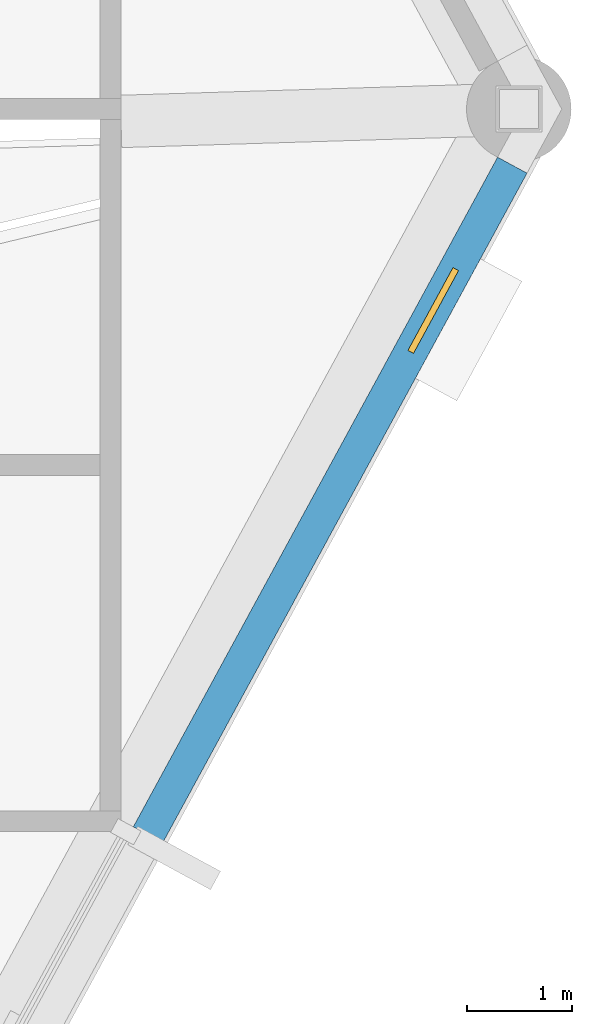
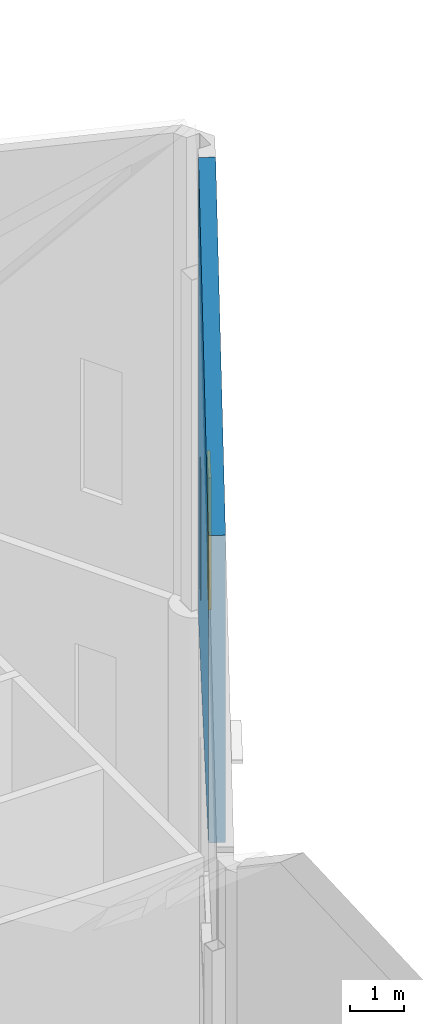
# One storey, part 260 of 344: 1 wall, 1 window, 1 opening.
"""IFC4 building model written with IfcOpenShell, lengths in metres."""

import ifcopenshell
import ifcopenshell.guid

model = None  # the IFC model being written
_history = None  # IfcOwnerHistory: only IFC2X3 demands one
_inside = {}  # id of a spatial element -> (the spatial element, [elements in it])
_under = {}  # id of a project, library or spatial element -> (it, [spatial elements below it])
_declared = {}  # id of a project -> (the project, [libraries it declares])
_typed = {}  # id of a type object -> (the type object, [elements of that type])
_made_of = {}  # id of a material, layer set ... -> (it, [elements and type objects made of it])


def new_model(schema):
    """Start an empty IFC model of exactly this schema.

    Asked for "IFC4X3", IfcOpenShell would pick the latest addendum, in which some entities
    have other attributes; the version numbers below select the first issue.
    IFC2X3 requires an IfcOwnerHistory on every rooted entity: one is made here for all.
    """
    global model, _history
    if schema == "IFC4X3":
        model = ifcopenshell.file(schema_version=(4, 3, 0, 0))
    else:
        model = ifcopenshell.file(schema=schema)
    _inside.clear()
    _under.clear()
    _declared.clear()
    _typed.clear()
    _made_of.clear()
    _history = None
    if model.schema == "IFC2X3":
        org = make("IfcOrganization", Name="unknown")
        user = make(
            "IfcPersonAndOrganization",
            ThePerson=make("IfcPerson", FamilyName="unknown"),
            TheOrganization=org,
        )
        app = make(
            "IfcApplication",
            ApplicationDeveloper=org,
            Version="unknown",
            ApplicationFullName="unknown",
            ApplicationIdentifier="unknown",
        )
        _history = make(
            "IfcOwnerHistory",
            OwningUser=user,
            OwningApplication=app,
            ChangeAction="ADDED",
            CreationDate=0,
        )
    return model


def make(cls, **values):
    """One entity of the class cls with the attributes given. An attribute that is None is left unset."""
    return model.create_entity(
        cls, **{name: value for name, value in values.items() if value is not None}
    )


def rooted(cls, **values):
    """An entity with a GlobalId (a new one), such as an element, a storey or a relation."""
    return make(cls, GlobalId=ifcopenshell.guid.new(), OwnerHistory=_history, **values)


def si_unit(unit_type, name, prefix=None):
    """IfcSIUnit, for example si_unit("LENGTHUNIT", "METRE", prefix="MILLI")."""
    return make("IfcSIUnit", UnitType=unit_type, Prefix=prefix, Name=name)


def assignment(units):
    """IfcUnitAssignment: the units of a project."""
    return None if units is None else make("IfcUnitAssignment", Units=units)


def point(xyz):
    """IfcCartesianPoint."""
    return None if xyz is None else make("IfcCartesianPoint", Coordinates=xyz)


def direction(xyz):
    """IfcDirection."""
    return None if xyz is None else make("IfcDirection", DirectionRatios=xyz)


def frame(location, z_axis=None, x_axis=None):
    """IfcAxis2Placement3D, a coordinate frame: its origin and axes. An axis left out is left unset."""
    return make(
        "IfcAxis2Placement3D",
        Location=point(location),
        Axis=direction(z_axis),
        RefDirection=direction(x_axis),
    )


def frame_2d(location, x_axis=None):
    """IfcAxis2Placement2D, a coordinate frame in the plane: its origin and x axis."""
    return make(
        "IfcAxis2Placement2D", Location=point(location), RefDirection=direction(x_axis)
    )


def origin():
    """The frame at (0, 0, 0) with its axes left unset."""
    return frame((0.0, 0.0, 0.0))


def place(relative_to, where):
    """IfcLocalPlacement: puts the frame where relative to a parent placement (None: the world)."""
    return make(
        "IfcLocalPlacement", PlacementRelTo=relative_to, RelativePlacement=where
    )


def context(
    kind, dimensions, precision=None, world=None, true_north=None, identifier=None
):
    """IfcGeometricRepresentationContext, for example the 3D "Model" context."""
    return make(
        "IfcGeometricRepresentationContext",
        ContextIdentifier=identifier,
        ContextType=kind,
        CoordinateSpaceDimension=dimensions,
        Precision=precision,
        WorldCoordinateSystem=world,
        TrueNorth=true_north,
    )


def subcontext(parent, identifier, kind, view, scale=None):
    """IfcGeometricRepresentationSubContext, for example "Body" below "Model"."""
    return make(
        "IfcGeometricRepresentationSubContext",
        ContextIdentifier=identifier,
        ContextType=kind,
        ParentContext=parent,
        TargetScale=scale,
        TargetView=view,
    )


def project(units=None, contexts=None):
    """IfcProject with its units and contexts."""
    return rooted(
        "IfcProject",
        Name="project",
        RepresentationContexts=contexts,
        UnitsInContext=assignment(units),
    )


def spatial(cls, under=None, at=None, **own):
    """A site, building, storey or space (cls), placed at a placement, below another one or the project."""
    s = rooted(cls, ObjectPlacement=at, **own)
    if under is not None:
        _under.setdefault(under.id(), (under, []))[1].append(s)
    return s


def polyline(points):
    """IfcPolyline through the points."""
    return make("IfcPolyline", Points=[point(p) for p in points])


def profile(cls, at=None, kind="AREA", **sizes):
    """A parametric profile (cls). Its sizes go by their IFC names, for example OverallWidth=200.0."""
    return make(cls, ProfileType=kind, Position=at, **sizes)


def rectangle(**sizes):
    """IfcRectangleProfileDef."""
    return profile("IfcRectangleProfileDef", **sizes)


def outline(outer, holes=None, kind="AREA"):
    """IfcArbitraryClosedProfileDef: a profile drawn as a closed curve; with holes, ...WithVoids."""
    if holes is None:
        return make("IfcArbitraryClosedProfileDef", ProfileType=kind, OuterCurve=outer)
    return make(
        "IfcArbitraryProfileDefWithVoids",
        ProfileType=kind,
        OuterCurve=outer,
        InnerCurves=holes,
    )


def extrude(swept, where, along, depth):
    """IfcExtrudedAreaSolid: the profile swept, set in the frame where, extruded along a direction by depth."""
    return make(
        "IfcExtrudedAreaSolid",
        SweptArea=swept,
        Position=where,
        ExtrudedDirection=direction(along),
        Depth=depth,
    )


def shape(context_of_items, identifier, shape_type, items):
    """IfcShapeRepresentation: the items that make up one representation, for example the "Body"."""
    return make(
        "IfcShapeRepresentation",
        ContextOfItems=context_of_items,
        RepresentationIdentifier=identifier,
        RepresentationType=shape_type,
        Items=items,
    )


def material(Name=None, Category=None):
    """IfcMaterial."""
    return make("IfcMaterial", Name=Name, Category=Category)


def layer(
    of_material, thickness, ventilated=None, Name=None, Category=None, Priority=None
):
    """IfcMaterialLayer: one layer of a wall or slab, of a material (None: an air gap)."""
    return make(
        "IfcMaterialLayer",
        Material=of_material,
        LayerThickness=thickness,
        IsVentilated=ventilated,
        Name=Name,
        Category=Category,
        Priority=Priority,
    )


def layer_set(layers, Name=None):
    """IfcMaterialLayerSet."""
    return make("IfcMaterialLayerSet", MaterialLayers=layers, LayerSetName=Name)


def made_of(thing, what):
    """Note that an element or type object is made of a material, layer set ...; save() writes the relation."""
    if what is not None:
        _made_of.setdefault(what.id(), (what, []))[1].append(thing)
    return thing


def type_object(cls, material=None, **own):
    """A type object (cls), such as IfcWallType, which elements share."""
    return made_of(rooted(cls, **own), material)


def element(
    cls,
    number,
    at=None,
    inside=None,
    cuts=None,
    type_object=None,
    material=None,
    context=None,
    identifier="Body",
    shape_type=None,
    held_by="IfcProductDefinitionShape",
    body=None,
    shapes=None,
    **own,
):
    """One element of the class cls, such as IfcWall. Its Tag is "e" and its number.

    at: its placement. inside: the storey or other place that contains it. cuts: it is an
    opening in that element (IfcRelVoidsElement). A single representation is given by context,
    identifier, shape_type and body (its items); several are given by shapes. held_by: the class
    of the entity that holds the representations. save() writes the other relations.
    """
    e = rooted(cls, Tag="e%d" % number, ObjectPlacement=at, **own)
    if body is not None:
        shapes = [shape(context, identifier, shape_type, body)]
    if shapes is not None:
        e.Representation = make(held_by, Representations=shapes)
    if inside is not None:
        _inside.setdefault(inside.id(), (inside, []))[1].append(e)
    if cuts is not None:
        rooted(
            "IfcRelVoidsElement", RelatingBuildingElement=cuts, RelatedOpeningElement=e
        )
    if type_object is not None:
        _typed.setdefault(type_object.id(), (type_object, []))[1].append(e)
    return made_of(e, material)


def fill(opening, filler):
    """IfcRelFillsElement: the door or window that sits in an opening."""
    return rooted(
        "IfcRelFillsElement",
        RelatingOpeningElement=opening,
        RelatedBuildingElement=filler,
    )


def aggregate(whole, parts):
    """IfcRelAggregates: a whole, such as a stair, and the parts it consists of."""
    return rooted("IfcRelAggregates", RelatingObject=whole, RelatedObjects=parts)


def save(model, path):
    """Write the relations noted so far, then the file.

    IfcRelAggregates (storeys below a building ...), IfcRelContainedInSpatialStructure (elements
    in a storey), IfcRelDefinesByType, IfcRelAssociatesMaterial and IfcRelDeclares: one each for
    every whole, place, type object, material and project.
    """
    for whole, parts in _under.values():
        aggregate(whole, parts)
    for where, things in _inside.values():
        rooted(
            "IfcRelContainedInSpatialStructure",
            RelatedElements=things,
            RelatingStructure=where,
        )
    for kind, things in _typed.values():
        rooted("IfcRelDefinesByType", RelatedObjects=things, RelatingType=kind)
    for what, things in _made_of.values():
        rooted("IfcRelAssociatesMaterial", RelatedObjects=things, RelatingMaterial=what)
    for by, libraries in _declared.values():
        rooted("IfcRelDeclares", RelatingContext=by, RelatedDefinitions=libraries)
    model.write(path)


model = new_model("IFC4")

# Units and contexts
model_context = context("Model", 3, precision=1e-05, world=origin(), true_north=direction((0.0, 1.0)))
body_context = subcontext(model_context, "Body", "Model", "MODEL_VIEW")
ifc_project = project(units=[si_unit("LENGTHUNIT", "METRE"), si_unit("AREAUNIT", "SQUARE_METRE"), si_unit("VOLUMEUNIT", "CUBIC_METRE"), si_unit("PLANEANGLEUNIT", "RADIAN"), si_unit("MASSUNIT", "GRAM", prefix="KILO")], contexts=[model_context])

# Site, building, storey
site_placement = place(None, origin())
site = spatial("IfcSite", under=ifc_project, at=site_placement, CompositionType="ELEMENT")
building_placement = place(site_placement, origin())
building = spatial("IfcBuilding", under=site, at=building_placement, Name="Meseta Stadium", CompositionType="ELEMENT")
storey_placement = place(building_placement, frame((0.0, 0.0, 24.0)))
storey = spatial("IfcBuildingStorey", under=building, at=storey_placement, Name="L04", CompositionType="ELEMENT", Elevation=24.0)

# Wall, opening, window
ifc_material_1 = material(Name="White precast concrete C40/50", Category="concrete")
ifc_layer = layer(ifc_material_1, 0.320068359375)
ifc_layer_set = layer_set([ifc_layer], Name="Pleated fascia panel 320 raked")
wall_type = type_object("IfcWallType", Name="Pleated fascia panel 320 raked", PredefinedType="SOLIDWALL", material=ifc_layer_set)
wall_placement = place(storey_placement, frame((101.3369140625, 18.21533203125, 6.0), z_axis=(0.0, 0.0, 1.0), x_axis=(-0.477865020076, -0.878433277255, 0.0)))
wall = element("IfcWall", 1, at=wall_placement, inside=storey, type_object=wall_type, Name="Pleated fascia panel L04 F05", PredefinedType="SOLIDWALL", context=body_context, shape_type="SweptSolid", body=[
    extrude(outline(polyline([(0.0, 0.0), (7.2802734375, 0.0), (7.2802734375, 6.97216796875), (0.0, 10.451171875), (0.0, 0.0)])), frame((0.0, 0.16015625, 0.0), z_axis=(0.0, -1.0, 0.0), x_axis=(1.0, 0.0, 0.0)), (0.0, 0.0, 1.0), 0.320068359375),
])
opening_placement = place(wall_placement, frame((1.130126953125, 0.0, 1.60009765625)))
opening = element("IfcOpeningElement", 2, at=opening_placement, cuts=wall, Name="Opening W327", PredefinedType="OPENING", context=body_context, shape_type="SweptSolid", body=[
    extrude(rectangle(XDim=0.89990234375, YDim=3.0, at=frame_2d((0.449951171875, 1.5))), frame((0.0, 0.169921875, 0.0), z_axis=(0.0, -1.0, 0.0), x_axis=(1.0, 0.0, 0.0)), (0.0, 0.0, 1.0), 0.340087890625),
])
ifc_material_2 = material(Name="Aluminium", Category="aluminium")
window_type = type_object("IfcWindowType", Name="Slot window 900x3000", PartitioningType="SINGLE_PANEL", PredefinedType="WINDOW", material=ifc_material_2)
window_placement = place(opening_placement, origin())
window = element("IfcWindow", 3, at=window_placement, inside=storey, type_object=window_type, Name="Slot window L04 F05.6", OverallHeight=3.0, OverallWidth=0.89990234375, PartitioningType="SINGLE_PANEL", PredefinedType="WINDOW", context=body_context, shape_type="SweptSolid", body=[
    extrude(rectangle(XDim=0.89990234375, YDim=3.0, at=frame_2d((0.449951171875, 1.5))), frame((0.0, 0.030029296875, 0.0), z_axis=(0.0, -1.0, 0.0), x_axis=(1.0, 0.0, 0.0)), (0.0, 0.0, 1.0), 0.06005859375),
])
fill(opening, window)

save(model, "model.ifc")
